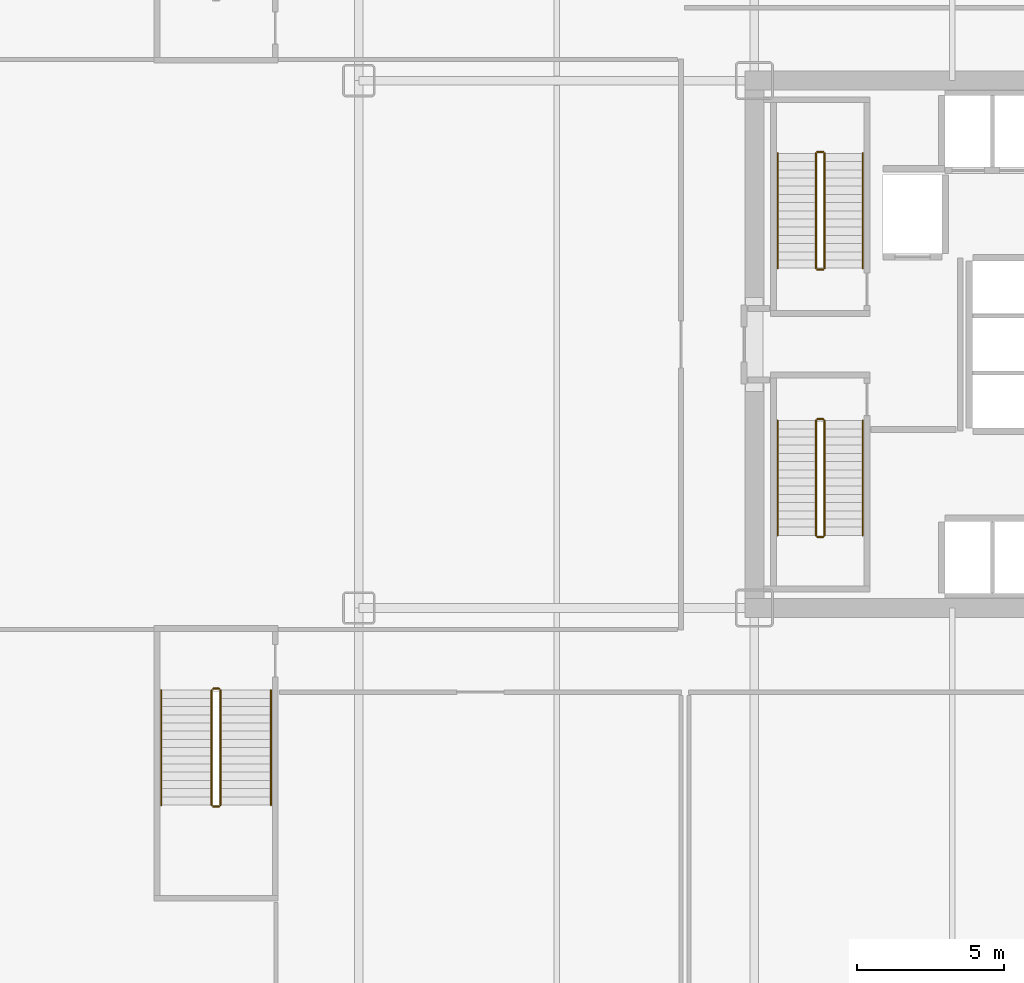
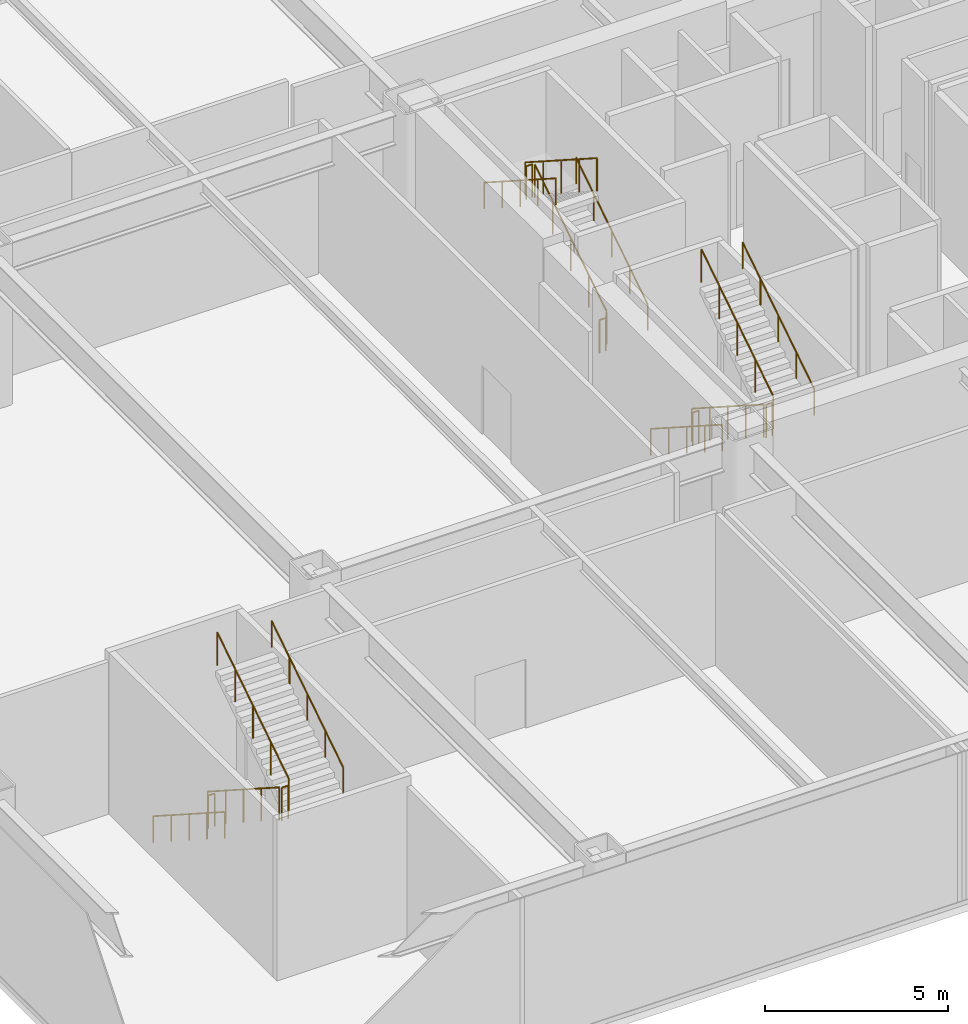
# One storey, part 21 of 24: 18 railings.
"""IFC4 building model written with IfcOpenShell, lengths in metres."""

from ifc_helpers import new_model, si_unit, direction, frame, origin, origin_2d, place, context, subcontext, project, spatial, circle, extrude, material, type_object, element, save


model = new_model("IFC4")

# Units and contexts
model_context = context("Model", 3, precision=1e-05, world=origin(), true_north=direction((0.0, 1.0)))
body_context = subcontext(model_context, "Body", "Model", "MODEL_VIEW")
ifc_project = project(units=[si_unit("LENGTHUNIT", "METRE"), si_unit("AREAUNIT", "SQUARE_METRE"), si_unit("VOLUMEUNIT", "CUBIC_METRE"), si_unit("PLANEANGLEUNIT", "RADIAN"), si_unit("MASSUNIT", "GRAM", prefix="KILO")], contexts=[model_context])

# Site, building, storey
site_placement = place(None, origin())
site = spatial("IfcSite", under=ifc_project, at=site_placement, CompositionType="ELEMENT")
building_placement = place(site_placement, origin())
building = spatial("IfcBuilding", under=site, at=building_placement, Name="Nefas-Gora Pilgrimage Tower", CompositionType="ELEMENT")
storey_placement = place(building_placement, frame((0.0, 0.0, 11.39990234375)))
storey = spatial("IfcBuildingStorey", under=building, at=storey_placement, Name="L02", CompositionType="ELEMENT", Elevation=11.39990234375)

# Railings
ifc_material_1 = material(Name="Painted galvanised steel", Category="steel")
railing_type_1 = type_object("IfcRailingType", Name="RLG-STR-GUARD-1100", PredefinedType="GUARDRAIL", material=ifc_material_1)
railing_1_placement = place(storey_placement, frame((-8.85009765625, 2.60009765625, 0.18017578125)))
element("IfcRailing", 1, at=railing_1_placement, inside=storey, type_object=railing_type_1, Name="L02 ST-01 stair guard 1", PredefinedType="GUARDRAIL", context=body_context, shape_type="SweptSolid", body=[
    extrude(circle(Radius=0.02392578125, at=origin_2d()), frame((0.0, 0.0, 1.09619140625), z_axis=(0.0, 0.841171666519, 0.540768182723), x_axis=(-1.0, 0.0, 0.0)), (0.0, 0.0, 1.0), 4.66015625),
    extrude(circle(Radius=0.02099609375, at=origin_2d()), origin(), (0.0, 0.0, 1.0), 1.072021484375),
    extrude(circle(Radius=0.02099609375, at=origin_2d()), frame((0.0, 0.97998046875, 0.6298828125)), (0.0, 0.0, 1.0), 1.072021484375),
    extrude(circle(Radius=0.02099609375, at=origin_2d()), frame((0.0, 1.9599609375, 1.260009765625)), (0.0, 0.0, 1.0), 1.072021484375),
    extrude(circle(Radius=0.02099609375, at=origin_2d()), frame((0.0, 2.93994140625, 1.89013671875)), (0.0, 0.0, 1.0), 1.072021484375),
    extrude(circle(Radius=0.02099609375, at=origin_2d()), frame((0.0, 3.919921875, 2.52001953125)), (0.0, 0.0, 1.0), 1.072021484375),
])
railing_2_placement = place(storey_placement, frame((-8.89990234375, 6.570068359375, 2.7001953125)))
element("IfcRailing", 2, at=railing_2_placement, inside=storey, type_object=railing_type_1, Name="L02 ST-01 stair guard 2", PredefinedType="GUARDRAIL", context=body_context, shape_type="SweptSolid", body=[
    extrude(circle(Radius=0.02392578125, at=origin_2d()), frame((0.0, 0.0, 1.09619140625), z_axis=(-1.0, 0.0, 0.0), x_axis=(0.0, -1.0, 0.0)), (0.0, 0.0, 1.0), 0.2001953125),
    extrude(circle(Radius=0.02099609375, at=origin_2d()), origin(), (0.0, 0.0, 1.0), 1.072021484375),
    extrude(circle(Radius=0.02099609375, at=origin_2d()), frame((-0.2001953125, 0.0, 0.0)), (0.0, 0.0, 1.0), 1.072021484375),
])
railing_3_placement = place(storey_placement, frame((-9.14990234375, 6.52001953125, 2.880126953125)))
element("IfcRailing", 3, at=railing_3_placement, inside=storey, type_object=railing_type_1, Name="L02 ST-01 stair guard 3", PredefinedType="GUARDRAIL", context=body_context, shape_type="SweptSolid", body=[
    extrude(circle(Radius=0.02392578125, at=origin_2d()), frame((0.0, 0.0, 1.09619140625), z_axis=(0.0, -0.841171666519, 0.540768182723), x_axis=(1.0, 0.0, 0.0)), (0.0, 0.0, 1.0), 4.66015625),
    extrude(circle(Radius=0.02099609375, at=origin_2d()), origin(), (0.0, 0.0, 1.0), 1.072021484375),
    extrude(circle(Radius=0.02099609375, at=origin_2d()), frame((0.0, -0.97998046875, 0.6298828125)), (0.0, 0.0, 1.0), 1.072021484375),
    extrude(circle(Radius=0.02099609375, at=origin_2d()), frame((0.0, -1.9599609375, 1.260009765625)), (0.0, 0.0, 1.0), 1.072021484375),
    extrude(circle(Radius=0.02099609375, at=origin_2d()), frame((0.0, -2.93994140625, 1.89013671875)), (0.0, 0.0, 1.0), 1.072021484375),
    extrude(circle(Radius=0.02099609375, at=origin_2d()), frame((0.0, -3.919921875, 2.52001953125)), (0.0, 0.0, 1.0), 1.072021484375),
])
railing_4_placement = place(storey_placement, frame((-8.89990234375, 2.550048828125, 0.0)))
element("IfcRailing", 4, at=railing_4_placement, inside=storey, type_object=railing_type_1, Name="L02 ST-01 stair guard 4", PredefinedType="GUARDRAIL", context=body_context, shape_type="SweptSolid", body=[
    extrude(circle(Radius=0.02392578125, at=origin_2d()), frame((0.0, 0.0, 1.09619140625), z_axis=(-1.0, 0.0, 0.0), x_axis=(0.0, -1.0, 0.0)), (0.0, 0.0, 1.0), 0.2001953125),
    extrude(circle(Radius=0.02099609375, at=origin_2d()), origin(), (0.0, 0.0, 1.0), 1.072021484375),
    extrude(circle(Radius=0.02099609375, at=origin_2d()), frame((-0.2001953125, 0.0, 0.0)), (0.0, 0.0, 1.0), 1.072021484375),
])
railing_5_placement = place(storey_placement, frame((-9.14990234375, -2.60009765625, 0.18017578125)))
element("IfcRailing", 5, at=railing_5_placement, inside=storey, type_object=railing_type_1, Name="L02 ST-03 stair guard 1", PredefinedType="GUARDRAIL", context=body_context, shape_type="SweptSolid", body=[
    extrude(circle(Radius=0.02392578125, at=origin_2d()), frame((0.0, 0.0, 1.09619140625), z_axis=(0.0, -0.841171666519, 0.540768182723), x_axis=(1.0, 0.0, 0.0)), (0.0, 0.0, 1.0), 4.66015625),
    extrude(circle(Radius=0.02099609375, at=origin_2d()), origin(), (0.0, 0.0, 1.0), 1.072021484375),
    extrude(circle(Radius=0.02099609375, at=origin_2d()), frame((0.0, -0.97998046875, 0.6298828125)), (0.0, 0.0, 1.0), 1.072021484375),
    extrude(circle(Radius=0.02099609375, at=origin_2d()), frame((0.0, -1.9599609375, 1.260009765625)), (0.0, 0.0, 1.0), 1.072021484375),
    extrude(circle(Radius=0.02099609375, at=origin_2d()), frame((0.0, -2.93994140625, 1.89013671875)), (0.0, 0.0, 1.0), 1.072021484375),
    extrude(circle(Radius=0.02099609375, at=origin_2d()), frame((0.0, -3.919921875, 2.52001953125)), (0.0, 0.0, 1.0), 1.072021484375),
])
railing_6_placement = place(storey_placement, frame((-9.10009765625, -6.570068359375, 2.7001953125)))
element("IfcRailing", 6, at=railing_6_placement, inside=storey, type_object=railing_type_1, Name="L02 ST-03 stair guard 2", PredefinedType="GUARDRAIL", context=body_context, shape_type="SweptSolid", body=[
    extrude(circle(Radius=0.02392578125, at=origin_2d()), frame((0.0, 0.0, 1.09619140625), z_axis=(1.0, 0.0, 0.0), x_axis=(0.0, 1.0, 0.0)), (0.0, 0.0, 1.0), 0.2001953125),
    extrude(circle(Radius=0.02099609375, at=origin_2d()), origin(), (0.0, 0.0, 1.0), 1.072021484375),
    extrude(circle(Radius=0.02099609375, at=origin_2d()), frame((0.2001953125, 0.0, 0.0)), (0.0, 0.0, 1.0), 1.072021484375),
])
railing_7_placement = place(storey_placement, frame((-8.85009765625, -6.52001953125, 2.880126953125)))
element("IfcRailing", 7, at=railing_7_placement, inside=storey, type_object=railing_type_1, Name="L02 ST-03 stair guard 3", PredefinedType="GUARDRAIL", context=body_context, shape_type="SweptSolid", body=[
    extrude(circle(Radius=0.02392578125, at=origin_2d()), frame((0.0, 0.0, 1.09619140625), z_axis=(0.0, 0.841171666519, 0.540768182723), x_axis=(-1.0, 0.0, 0.0)), (0.0, 0.0, 1.0), 4.66015625),
    extrude(circle(Radius=0.02099609375, at=origin_2d()), origin(), (0.0, 0.0, 1.0), 1.072021484375),
    extrude(circle(Radius=0.02099609375, at=origin_2d()), frame((0.0, 0.97998046875, 0.6298828125)), (0.0, 0.0, 1.0), 1.072021484375),
    extrude(circle(Radius=0.02099609375, at=origin_2d()), frame((0.0, 1.9599609375, 1.260009765625)), (0.0, 0.0, 1.0), 1.072021484375),
    extrude(circle(Radius=0.02099609375, at=origin_2d()), frame((0.0, 2.93994140625, 1.89013671875)), (0.0, 0.0, 1.0), 1.072021484375),
    extrude(circle(Radius=0.02099609375, at=origin_2d()), frame((0.0, 3.919921875, 2.52001953125)), (0.0, 0.0, 1.0), 1.072021484375),
])
railing_8_placement = place(storey_placement, frame((-9.10009765625, -2.550048828125, 0.0)))
element("IfcRailing", 8, at=railing_8_placement, inside=storey, type_object=railing_type_1, Name="L02 ST-03 stair guard 4", PredefinedType="GUARDRAIL", context=body_context, shape_type="SweptSolid", body=[
    extrude(circle(Radius=0.02392578125, at=origin_2d()), frame((0.0, 0.0, 1.09619140625), z_axis=(1.0, 0.0, 0.0), x_axis=(0.0, 1.0, 0.0)), (0.0, 0.0, 1.0), 0.2001953125),
    extrude(circle(Radius=0.02099609375, at=origin_2d()), origin(), (0.0, 0.0, 1.0), 1.072021484375),
    extrude(circle(Radius=0.02099609375, at=origin_2d()), frame((0.2001953125, 0.0, 0.0)), (0.0, 0.0, 1.0), 1.072021484375),
])
railing_9_placement = place(storey_placement, frame((-29.77001953125, -11.800048828125, 0.18017578125)))
element("IfcRailing", 9, at=railing_9_placement, inside=storey, type_object=railing_type_1, Name="L02 ST-05 stair guard 1", PredefinedType="GUARDRAIL", context=body_context, shape_type="SweptSolid", body=[
    extrude(circle(Radius=0.02392578125, at=origin_2d()), frame((0.0, 0.0, 1.09619140625), z_axis=(0.0, -0.841171666519, 0.540768182723), x_axis=(1.0, 0.0, 0.0)), (0.0, 0.0, 1.0), 4.66015625),
    extrude(circle(Radius=0.02099609375, at=origin_2d()), origin(), (0.0, 0.0, 1.0), 1.072021484375),
    extrude(circle(Radius=0.02099609375, at=origin_2d()), frame((0.0, -0.97998046875, 0.6298828125)), (0.0, 0.0, 1.0), 1.072021484375),
    extrude(circle(Radius=0.02099609375, at=origin_2d()), frame((0.0, -1.9599609375, 1.260009765625)), (0.0, 0.0, 1.0), 1.072021484375),
    extrude(circle(Radius=0.02099609375, at=origin_2d()), frame((0.0, -2.93994140625, 1.89013671875)), (0.0, 0.0, 1.0), 1.072021484375),
    extrude(circle(Radius=0.02099609375, at=origin_2d()), frame((0.0, -3.919921875, 2.52001953125)), (0.0, 0.0, 1.0), 1.072021484375),
])
railing_10_placement = place(storey_placement, frame((-29.719970703125, -15.77001953125, 2.7001953125)))
element("IfcRailing", 10, at=railing_10_placement, inside=storey, type_object=railing_type_1, Name="L02 ST-05 stair guard 2", PredefinedType="GUARDRAIL", context=body_context, shape_type="SweptSolid", body=[
    extrude(circle(Radius=0.02392578125, at=origin_2d()), frame((0.0, 0.0, 1.09619140625), z_axis=(1.0, 0.0, 0.0), x_axis=(0.0, 1.0, 0.0)), (0.0, 0.0, 1.0), 0.199951171875),
    extrude(circle(Radius=0.02099609375, at=origin_2d()), origin(), (0.0, 0.0, 1.0), 1.072021484375),
    extrude(circle(Radius=0.02099609375, at=origin_2d()), frame((0.199951171875, 0.0, 0.0)), (0.0, 0.0, 1.0), 1.072021484375),
])
railing_11_placement = place(storey_placement, frame((-29.469970703125, -15.719970703125, 2.880126953125)))
element("IfcRailing", 11, at=railing_11_placement, inside=storey, type_object=railing_type_1, Name="L02 ST-05 stair guard 3", PredefinedType="GUARDRAIL", context=body_context, shape_type="SweptSolid", body=[
    extrude(circle(Radius=0.02392578125, at=origin_2d()), frame((0.0, 0.0, 1.09619140625), z_axis=(0.0, 0.841171666519, 0.540768182723), x_axis=(-1.0, 0.0, 0.0)), (0.0, 0.0, 1.0), 4.66015625),
    extrude(circle(Radius=0.02099609375, at=origin_2d()), origin(), (0.0, 0.0, 1.0), 1.072021484375),
    extrude(circle(Radius=0.02099609375, at=origin_2d()), frame((0.0, 0.97998046875, 0.6298828125)), (0.0, 0.0, 1.0), 1.072021484375),
    extrude(circle(Radius=0.02099609375, at=origin_2d()), frame((0.0, 1.9599609375, 1.260009765625)), (0.0, 0.0, 1.0), 1.072021484375),
    extrude(circle(Radius=0.02099609375, at=origin_2d()), frame((0.0, 2.93994140625, 1.89013671875)), (0.0, 0.0, 1.0), 1.072021484375),
    extrude(circle(Radius=0.02099609375, at=origin_2d()), frame((0.0, 3.919921875, 2.52001953125)), (0.0, 0.0, 1.0), 1.072021484375),
])
railing_12_placement = place(storey_placement, frame((-29.719970703125, -11.75, 0.0)))
element("IfcRailing", 12, at=railing_12_placement, inside=storey, type_object=railing_type_1, Name="L02 ST-05 stair guard 4", PredefinedType="GUARDRAIL", context=body_context, shape_type="SweptSolid", body=[
    extrude(circle(Radius=0.02392578125, at=origin_2d()), frame((0.0, 0.0, 1.09619140625), z_axis=(1.0, 0.0, 0.0), x_axis=(0.0, 1.0, 0.0)), (0.0, 0.0, 1.0), 0.199951171875),
    extrude(circle(Radius=0.02099609375, at=origin_2d()), origin(), (0.0, 0.0, 1.0), 1.072021484375),
    extrude(circle(Radius=0.02099609375, at=origin_2d()), frame((0.199951171875, 0.0, 0.0)), (0.0, 0.0, 1.0), 1.072021484375),
])
ifc_material_2 = material(Name="Brushed stainless steel", Category="steel")
railing_type_2 = type_object("IfcRailingType", Name="RLG-STR-HAND-900", PredefinedType="HANDRAIL", material=ifc_material_2)
railing_13_placement = place(storey_placement, frame((-7.550048828125, 2.60009765625, 0.18017578125)))
element("IfcRailing", 13, at=railing_13_placement, inside=storey, type_object=railing_type_2, Name="L02 ST-01 stair handrail 1", PredefinedType="HANDRAIL", context=body_context, shape_type="SweptSolid", body=[
    extrude(circle(Radius=0.02392578125, at=origin_2d()), frame((0.0, 0.0, 0.8759765625), z_axis=(0.0, 0.841171666519, 0.540768182723), x_axis=(-1.0, 0.0, 0.0)), (0.0, 0.0, 1.0), 4.66015625),
    extrude(circle(Radius=0.02099609375, at=origin_2d()), origin(), (0.0, 0.0, 1.0), 0.851806640625),
    extrude(circle(Radius=0.02099609375, at=origin_2d()), frame((0.0, 0.97998046875, 0.6298828125)), (0.0, 0.0, 1.0), 0.851806640625),
    extrude(circle(Radius=0.02099609375, at=origin_2d()), frame((0.0, 1.9599609375, 1.260009765625)), (0.0, 0.0, 1.0), 0.851806640625),
    extrude(circle(Radius=0.02099609375, at=origin_2d()), frame((0.0, 2.93994140625, 1.89013671875)), (0.0, 0.0, 1.0), 0.851806640625),
    extrude(circle(Radius=0.02099609375, at=origin_2d()), frame((0.0, 3.919921875, 2.52001953125)), (0.0, 0.0, 1.0), 0.851806640625),
])
for number, where, name in (
    (14, (-10.449951171875, 6.52001953125, 2.880126953125), "L02 ST-01 stair handrail 2"),
    (15, (-10.449951171875, -2.60009765625, 0.18017578125), "L02 ST-03 stair handrail 1"),
):
    element("IfcRailing", number, at=place(storey_placement, frame(where)), inside=storey, type_object=railing_type_2, Name=name, PredefinedType="HANDRAIL", context=body_context, shape_type="SweptSolid", body=[
        extrude(circle(Radius=0.02392578125, at=origin_2d()), frame((0.0, 0.0, 0.8759765625), z_axis=(0.0, -0.841171666519, 0.540768182723), x_axis=(1.0, 0.0, 0.0)), (0.0, 0.0, 1.0), 4.66015625),
        extrude(circle(Radius=0.02099609375, at=origin_2d()), origin(), (0.0, 0.0, 1.0), 0.851806640625),
        extrude(circle(Radius=0.02099609375, at=origin_2d()), frame((0.0, -0.97998046875, 0.6298828125)), (0.0, 0.0, 1.0), 0.851806640625),
        extrude(circle(Radius=0.02099609375, at=origin_2d()), frame((0.0, -1.9599609375, 1.260009765625)), (0.0, 0.0, 1.0), 0.851806640625),
        extrude(circle(Radius=0.02099609375, at=origin_2d()), frame((0.0, -2.93994140625, 1.89013671875)), (0.0, 0.0, 1.0), 0.851806640625),
        extrude(circle(Radius=0.02099609375, at=origin_2d()), frame((0.0, -3.919921875, 2.52001953125)), (0.0, 0.0, 1.0), 0.851806640625),
    ])
railing_14_placement = place(storey_placement, frame((-7.550048828125, -6.52001953125, 2.880126953125)))
element("IfcRailing", 16, at=railing_14_placement, inside=storey, type_object=railing_type_2, Name="L02 ST-03 stair handrail 2", PredefinedType="HANDRAIL", context=body_context, shape_type="SweptSolid", body=[
    extrude(circle(Radius=0.02392578125, at=origin_2d()), frame((0.0, 0.0, 0.8759765625), z_axis=(0.0, 0.841171666519, 0.540768182723), x_axis=(-1.0, 0.0, 0.0)), (0.0, 0.0, 1.0), 4.66015625),
    extrude(circle(Radius=0.02099609375, at=origin_2d()), origin(), (0.0, 0.0, 1.0), 0.851806640625),
    extrude(circle(Radius=0.02099609375, at=origin_2d()), frame((0.0, 0.97998046875, 0.6298828125)), (0.0, 0.0, 1.0), 0.851806640625),
    extrude(circle(Radius=0.02099609375, at=origin_2d()), frame((0.0, 1.9599609375, 1.260009765625)), (0.0, 0.0, 1.0), 0.851806640625),
    extrude(circle(Radius=0.02099609375, at=origin_2d()), frame((0.0, 2.93994140625, 1.89013671875)), (0.0, 0.0, 1.0), 0.851806640625),
    extrude(circle(Radius=0.02099609375, at=origin_2d()), frame((0.0, 3.919921875, 2.52001953125)), (0.0, 0.0, 1.0), 0.851806640625),
])
railing_15_placement = place(storey_placement, frame((-31.489990234375, -11.800048828125, 0.18017578125)))
element("IfcRailing", 17, at=railing_15_placement, inside=storey, type_object=railing_type_2, Name="L02 ST-05 stair handrail 1", PredefinedType="HANDRAIL", context=body_context, shape_type="SweptSolid", body=[
    extrude(circle(Radius=0.02392578125, at=origin_2d()), frame((0.0, 0.0, 0.8759765625), z_axis=(0.0, -0.841171666519, 0.540768182723), x_axis=(1.0, 0.0, 0.0)), (0.0, 0.0, 1.0), 4.66015625),
    extrude(circle(Radius=0.02099609375, at=origin_2d()), origin(), (0.0, 0.0, 1.0), 0.851806640625),
    extrude(circle(Radius=0.02099609375, at=origin_2d()), frame((0.0, -0.97998046875, 0.6298828125)), (0.0, 0.0, 1.0), 0.851806640625),
    extrude(circle(Radius=0.02099609375, at=origin_2d()), frame((0.0, -1.9599609375, 1.260009765625)), (0.0, 0.0, 1.0), 0.851806640625),
    extrude(circle(Radius=0.02099609375, at=origin_2d()), frame((0.0, -2.93994140625, 1.89013671875)), (0.0, 0.0, 1.0), 0.851806640625),
    extrude(circle(Radius=0.02099609375, at=origin_2d()), frame((0.0, -3.919921875, 2.52001953125)), (0.0, 0.0, 1.0), 0.851806640625),
])
railing_16_placement = place(storey_placement, frame((-27.75, -15.719970703125, 2.880126953125)))
element("IfcRailing", 18, at=railing_16_placement, inside=storey, type_object=railing_type_2, Name="L02 ST-05 stair handrail 2", PredefinedType="HANDRAIL", context=body_context, shape_type="SweptSolid", body=[
    extrude(circle(Radius=0.02392578125, at=origin_2d()), frame((0.0, 0.0, 0.8759765625), z_axis=(0.0, 0.841171666519, 0.540768182723), x_axis=(-1.0, 0.0, 0.0)), (0.0, 0.0, 1.0), 4.66015625),
    extrude(circle(Radius=0.02099609375, at=origin_2d()), origin(), (0.0, 0.0, 1.0), 0.851806640625),
    extrude(circle(Radius=0.02099609375, at=origin_2d()), frame((0.0, 0.97998046875, 0.6298828125)), (0.0, 0.0, 1.0), 0.851806640625),
    extrude(circle(Radius=0.02099609375, at=origin_2d()), frame((0.0, 1.9599609375, 1.260009765625)), (0.0, 0.0, 1.0), 0.851806640625),
    extrude(circle(Radius=0.02099609375, at=origin_2d()), frame((0.0, 2.93994140625, 1.89013671875)), (0.0, 0.0, 1.0), 0.851806640625),
    extrude(circle(Radius=0.02099609375, at=origin_2d()), frame((0.0, 3.919921875, 2.52001953125)), (0.0, 0.0, 1.0), 0.851806640625),
])

save(model, "model.ifc")
